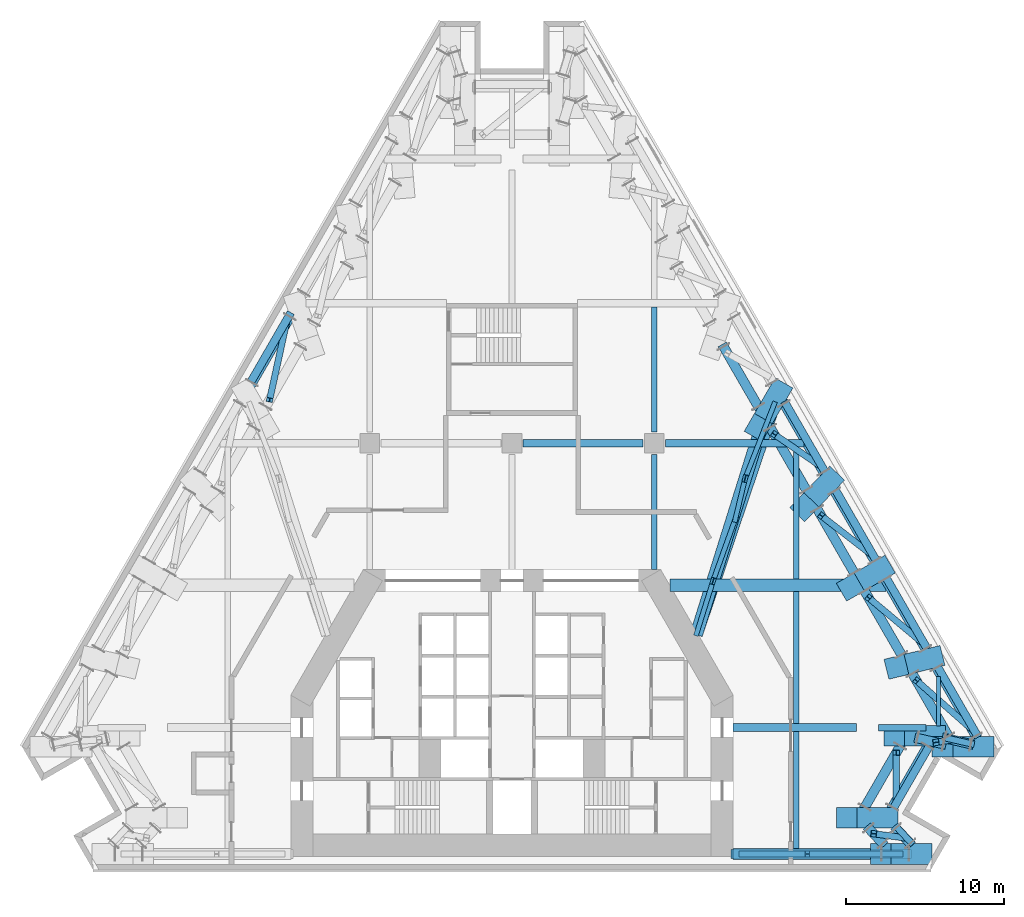
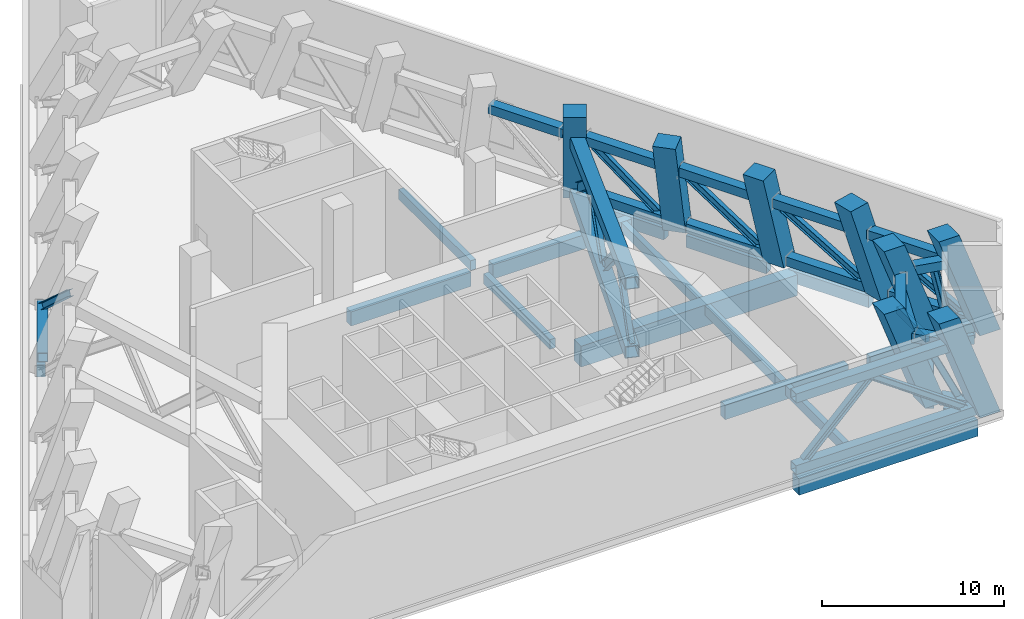
# One storey, part 2 of 12: 42 members, 20 beams.
"""IFC4 building model written with IfcOpenShell, lengths in metres."""

from ifc_helpers import new_model, si_unit, direction, frame, origin, origin_2d, place, context, subcontext, project, spatial, rectangle, hollow_rectangle, i_section, extrude, material, material_profile, profile_set, type_object, element, save


model = new_model("IFC4")

# Units and contexts
model_context = context("Model", 3, precision=1e-05, world=origin(), true_north=direction((0.0, 1.0)))
body_context = subcontext(model_context, "Body", "Model", "MODEL_VIEW")
ifc_project = project(units=[si_unit("LENGTHUNIT", "METRE"), si_unit("AREAUNIT", "SQUARE_METRE"), si_unit("VOLUMEUNIT", "CUBIC_METRE"), si_unit("PLANEANGLEUNIT", "RADIAN"), si_unit("MASSUNIT", "GRAM", prefix="KILO")], contexts=[model_context])

# Site, building, storey
site_placement = place(None, origin())
site = spatial("IfcSite", under=ifc_project, at=site_placement, CompositionType="ELEMENT")
building_placement = place(site_placement, origin())
building = spatial("IfcBuilding", under=site, at=building_placement, Name="Fogline Exchange Tower", CompositionType="ELEMENT")
storey_placement = place(building_placement, frame((0.0, 0.0, 88.89990234375)))
storey = spatial("IfcBuildingStorey", under=building, at=storey_placement, Name="L19", CompositionType="ELEMENT", Elevation=88.89990234375)

# Beams
ifc_material_1 = material(Name="Concrete C40", Category="concrete")
ifc_material_profile_1 = material_profile(ifc_material_1, rectangle(XDim=0.25, YDim=0.5, at=origin_2d()), Name="RC 250x500")
ifc_profile_set_1 = profile_set([ifc_material_profile_1], Name="Concrete C40")
beam_type_1 = type_object("IfcBeamType", Name="B08", PredefinedType="BEAM", material=ifc_profile_set_1)
beam_1_placement = place(storey_placement, frame((27.0, 9.09521484375, -0.5498046875), z_axis=(0.0, 1.0, 0.0), x_axis=(-1.0, 0.0, 0.0)))
element("IfcBeam", 1, at=beam_1_placement, inside=storey, type_object=beam_type_1, Name="SB017", PredefinedType="BEAM", context=body_context, shape_type="SweptSolid", body=[
    extrude(rectangle(XDim=0.25, YDim=0.5, at=origin_2d()), origin(), (0.0, 0.0, 1.0), 3.145263671875),
])
ifc_material_profile_2 = material_profile(ifc_material_1, rectangle(XDim=0.5, YDim=0.800048828125, at=origin_2d()), Name="RC 500x800")
ifc_profile_set_2 = profile_set([ifc_material_profile_2], Name="Concrete C40")
beam_type_2 = type_object("IfcBeamType", Name="B10", PredefinedType="BEAM", material=ifc_profile_set_2)
beam_2_placement = place(storey_placement, frame((24.142578125, 3.89892578125, -0.699951171875), z_axis=(0.500014024385, 0.866017306651, 0.0), x_axis=(-0.866017306651, 0.500014024385, 0.0)))
element("IfcBeam", 2, at=beam_2_placement, inside=storey, type_object=beam_type_2, Name="RB007", PredefinedType="BEAM", context=body_context, shape_type="SweptSolid", body=[
    extrude(rectangle(XDim=0.5, YDim=0.800048828125, at=origin_2d()), origin(), (0.0, 0.0, 1.0), 4.614501953125),
])
beam_3_placement = place(storey_placement, frame((29.50927734375, 8.394287109375, -0.699951171875), z_axis=(-0.500012659481, 0.866018094706, 0.0), x_axis=(-0.866018094706, -0.500012659481, 0.0)))
element("IfcBeam", 3, at=beam_3_placement, inside=storey, type_object=beam_type_2, Name="RB009", PredefinedType="BEAM", context=body_context, shape_type="SweptSolid", body=[
    extrude(rectangle(XDim=0.5, YDim=0.800048828125, at=origin_2d()), origin(), (0.0, 0.0, 1.0), 5.097412109375),
])
for number, where, z_axis, x_axis, name in (
    (4, (26.267578125, 14.0087890625, -0.699951171875), (-0.499956000529, 0.8660508054, 0.0), (-0.8660508054, -0.499956000529, 0.0), "RB010"),
    (5, (23.026123046875, 19.62353515625, -0.699951171875), (-0.499991921166, 0.866030068051, 0.0), (-0.866030068051, -0.499991921166, 0.0), "RB011"),
):
    element("IfcBeam", number, at=place(storey_placement, frame(where, z_axis=z_axis, x_axis=x_axis)), inside=storey, type_object=beam_type_2, Name=name, PredefinedType="BEAM", context=body_context, shape_type="SweptSolid", body=[
        extrude(rectangle(XDim=0.5, YDim=0.800048828125, at=origin_2d()), origin(), (0.0, 0.0, 1.0), 5.09765625),
    ])
beam_4_placement = place(storey_placement, frame((19.784423828125, 25.23828125, -0.699951171875), z_axis=(-0.500012659481, 0.866018094706, 0.0), x_axis=(-0.866018094706, -0.500012659481, 0.0)))
element("IfcBeam", 6, at=beam_4_placement, inside=storey, type_object=beam_type_2, Name="RB012", PredefinedType="BEAM", context=body_context, shape_type="SweptSolid", body=[
    extrude(rectangle(XDim=0.5, YDim=0.800048828125, at=origin_2d()), origin(), (0.0, 0.0, 1.0), 5.097412109375),
])
beam_5_placement = place(storey_placement, frame((-13.993896484375, 35.267578125, -0.699951171875), z_axis=(-0.499991921166, -0.866030068051, 0.0), x_axis=(0.866030068051, -0.499991921166, 0.0)))
element("IfcBeam", 7, at=beam_5_placement, inside=storey, type_object=beam_type_2, Name="RB023", PredefinedType="BEAM", context=body_context, shape_type="SweptSolid", body=[
    extrude(rectangle(XDim=0.5, YDim=0.800048828125, at=origin_2d()), origin(), (0.0, 0.0, 1.0), 5.09765625),
])
ifc_material_profile_3 = material_profile(ifc_material_1, rectangle(XDim=0.39990234375, YDim=0.60009765625, at=origin_2d()), Name="RC 400x600")
ifc_profile_set_3 = profile_set([ifc_material_profile_3], Name="Concrete C40")
beam_type_3 = type_object("IfcBeamType", Name="B11", PredefinedType="BEAM", material=ifc_profile_set_3)
beam_6_placement = place(storey_placement, frame((25.37548828125, 1.60009765625, -0.599853515625), z_axis=(-0.680844217962, 0.732428256464, 0.0), x_axis=(-0.732428256464, -0.680844217962, 0.0)))
element("IfcBeam", 8, at=beam_6_placement, inside=storey, type_object=beam_type_3, Name="RB006", PredefinedType="BEAM", context=body_context, shape_type="SweptSolid", body=[
    extrude(rectangle(XDim=0.39990234375, YDim=0.60009765625, at=origin_2d()), origin(), (0.0, 0.0, 1.0), 1.500244140625),
])
beam_7_placement = place(storey_placement, frame((27.396240234375, 8.357666015625, -0.599853515625), z_axis=(0.974741606569, -0.223335622829, 0.0), x_axis=(0.223335622829, 0.974741606569, 0.0)))
element("IfcBeam", 9, at=beam_7_placement, inside=storey, type_object=beam_type_3, Name="RB008", PredefinedType="BEAM", context=body_context, shape_type="SweptSolid", body=[
    extrude(rectangle(XDim=0.39990234375, YDim=0.60009765625, at=origin_2d()), origin(), (0.0, 0.0, 1.0), 1.907470703125),
])
ifc_material_profile_4 = material_profile(ifc_material_1, rectangle(XDim=0.699951171875, YDim=1.10009765625, at=origin_2d()), Name="RC 700x1100")
ifc_profile_set_4 = profile_set([ifc_material_profile_4], Name="Concrete C40")
beam_type_4 = type_object("IfcBeamType", Name="B12", PredefinedType="BEAM", material=ifc_profile_set_4)
beam_8_placement = place(storey_placement, frame((14.0, 1.0, -0.849853515625), z_axis=(1.0, 0.0, 0.0), x_axis=(0.0, 1.0, 0.0)))
element("IfcBeam", 10, at=beam_8_placement, inside=storey, type_object=beam_type_4, Name="RB005", PredefinedType="BEAM", context=body_context, shape_type="SweptSolid", body=[
    extrude(rectangle(XDim=0.699951171875, YDim=1.10009765625, at=origin_2d()), origin(), (0.0, 0.0, 1.0), 11.3330078125),
])
ifc_material_profile_5 = material_profile(ifc_material_1, rectangle(XDim=0.39990234375, YDim=0.64990234375, at=origin_2d()), Name="RC 400x650")
ifc_profile_set_5 = profile_set([ifc_material_profile_5], Name="Concrete C40")
beam_type_5 = type_object("IfcBeamType", Name="B13", PredefinedType="BEAM", material=ifc_profile_set_5)
beam_9_placement = place(storey_placement, frame((23.199951171875, 9.0, -0.625), z_axis=(1.0, 0.0, 0.0), x_axis=(0.0, 1.0, 0.0)))
element("IfcBeam", 11, at=beam_9_placement, inside=storey, type_object=beam_type_5, Name="GB004", PredefinedType="BEAM", context=body_context, shape_type="SweptSolid", body=[
    extrude(rectangle(XDim=0.39990234375, YDim=0.64990234375, at=origin_2d()), origin(), (0.0, 0.0, 1.0), 2.996337890625),
])
ifc_material_profile_6 = material_profile(ifc_material_1, rectangle(XDim=0.5, YDim=0.949951171875, at=origin_2d()), Name="RC 500x950")
ifc_profile_set_6 = profile_set([ifc_material_profile_6], Name="Concrete C40")
beam_type_6 = type_object("IfcBeamType", Name="B14", PredefinedType="BEAM", material=ifc_profile_set_6)
beam_10_placement = place(storey_placement, frame((14.0, 9.0, -0.77490234375), z_axis=(1.0, 0.0, 0.0), x_axis=(0.0, 1.0, 0.0)))
element("IfcBeam", 12, at=beam_10_placement, inside=storey, type_object=beam_type_6, Name="GB003", PredefinedType="BEAM", context=body_context, shape_type="SweptSolid", body=[
    extrude(rectangle(XDim=0.5, YDim=0.949951171875, at=origin_2d()), origin(), (0.0, 0.0, 1.0), 7.800048828125),
])
beam_11_placement = place(storey_placement, frame((0.699951171875, 27.0, -0.77490234375), z_axis=(1.0, 0.0, 0.0), x_axis=(0.0, 1.0, 0.0)))
element("IfcBeam", 13, at=beam_11_placement, inside=storey, type_object=beam_type_6, Name="GB009", PredefinedType="BEAM", context=body_context, shape_type="SweptSolid", body=[
    extrude(rectangle(XDim=0.5, YDim=0.949951171875, at=origin_2d()), origin(), (0.0, 0.0, 1.0), 7.60009765625),
])
beam_12_placement = place(storey_placement, frame((9.699951171875, 27.0, -0.77490234375), z_axis=(1.0, 0.0, 0.0), x_axis=(0.0, 1.0, 0.0)))
element("IfcBeam", 14, at=beam_12_placement, inside=storey, type_object=beam_type_6, Name="GB010", PredefinedType="BEAM", context=body_context, shape_type="SweptSolid", body=[
    extrude(rectangle(XDim=0.5, YDim=0.949951171875, at=origin_2d()), origin(), (0.0, 0.0, 1.0), 8.778564453125),
])
ifc_material_profile_7 = material_profile(ifc_material_1, rectangle(XDim=0.800048828125, YDim=1.39990234375, at=origin_2d()), Name="RC 800x1400")
ifc_profile_set_7 = profile_set([ifc_material_profile_7], Name="Concrete C40")
beam_type_7 = type_object("IfcBeamType", Name="B15", PredefinedType="BEAM", material=ifc_profile_set_7)
beam_13_placement = place(storey_placement, frame((9.989013671875, 18.0, -1.0), z_axis=(1.0, 0.0, 0.0), x_axis=(0.0, 1.0, 0.0)))
element("IfcBeam", 15, at=beam_13_placement, inside=storey, type_object=beam_type_7, Name="GB006", PredefinedType="BEAM", context=body_context, shape_type="SweptSolid", body=[
    extrude(rectangle(XDim=0.800048828125, YDim=1.39990234375, at=origin_2d()), origin(), (0.0, 0.0, 1.0), 13.685791015625),
])
ifc_material_profile_8 = material_profile(ifc_material_1, rectangle(XDim=0.35009765625, YDim=0.64990234375, at=origin_2d()), Name="RC 350x650")
ifc_profile_set_8 = profile_set([ifc_material_profile_8], Name="Concrete C40")
beam_type_8 = type_object("IfcBeamType", Name="B16", PredefinedType="BEAM", material=ifc_profile_set_8)
beam_14_placement = place(storey_placement, frame((9.0, 19.0, -0.625), z_axis=(0.0, 1.0, 0.0), x_axis=(-1.0, 0.0, 0.0)))
element("IfcBeam", 16, at=beam_14_placement, inside=storey, type_object=beam_type_8, Name="SB011", PredefinedType="BEAM", context=body_context, shape_type="SweptSolid", body=[
    extrude(rectangle(XDim=0.35009765625, YDim=0.64990234375, at=origin_2d()), origin(), (0.0, 0.0, 1.0), 7.300048828125),
])
beam_15_placement = place(storey_placement, frame((9.0, 27.699951171875, -0.625), z_axis=(0.0, 1.0, 0.0), x_axis=(-1.0, 0.0, 0.0)))
element("IfcBeam", 17, at=beam_15_placement, inside=storey, type_object=beam_type_8, Name="SB012", PredefinedType="BEAM", context=body_context, shape_type="SweptSolid", body=[
    extrude(rectangle(XDim=0.35009765625, YDim=0.64990234375, at=origin_2d()), origin(), (0.0, 0.0, 1.0), 7.906982421875),
])
beam_16_placement = place(storey_placement, frame((18.0, 1.35009765625, -0.625), z_axis=(0.0, 1.0, 0.0), x_axis=(-1.0, 0.0, 0.0)))
element("IfcBeam", 18, at=beam_16_placement, inside=storey, type_object=beam_type_8, Name="SB014", PredefinedType="BEAM", context=body_context, shape_type="SweptSolid", body=[
    extrude(rectangle(XDim=0.35009765625, YDim=0.64990234375, at=origin_2d()), origin(), (0.0, 0.0, 1.0), 7.39990234375),
])
for number, where, z_axis, x_axis, name in (
    (19, (18.0, 9.25, -0.625), (0.0, 1.0, 0.0), (-1.0, 0.0, 0.0), "SB015"),
    (20, (18.0, 18.39990234375, -0.625), (0.0, 1.0, 0.0), (-1.0, 0.0, 0.0), "SB016"),
):
    element("IfcBeam", number, at=place(storey_placement, frame(where, z_axis=z_axis, x_axis=x_axis)), inside=storey, type_object=beam_type_8, Name=name, PredefinedType="BEAM", context=body_context, shape_type="SweptSolid", body=[
        extrude(rectangle(XDim=0.35009765625, YDim=0.64990234375, at=origin_2d()), origin(), (0.0, 0.0, 1.0), 8.35009765625),
    ])

# Members
ifc_material_2 = material(Name="Steel Q355B", Category="steel")
ifc_material_profile_9 = material_profile(ifc_material_2, hollow_rectangle(XDim=0.60009765625, YDim=0.60009765625, WallThickness=0.030029296875, at=origin_2d()), Name="BOX600X600X30")
ifc_profile_set_9 = profile_set([ifc_material_profile_9], Name="Steel Q355B")
member_type_1 = type_object("IfcMemberType", Name="M01", PredefinedType="CHORD", material=ifc_profile_set_9)
member_1_placement = place(storey_placement, frame((13.85009765625, 1.0, 0.300048828125), z_axis=(1.0, 0.0, 0.0), x_axis=(0.0, 1.0, 0.0)))
element("IfcMember", 21, at=member_1_placement, inside=storey, type_object=member_type_1, Name="Belt truss chord BT4-2-BC", PredefinedType="CHORD", context=body_context, shape_type="SweptSolid", body=[
    extrude(hollow_rectangle(XDim=0.60009765625, YDim=0.60009765625, WallThickness=0.030029296875, at=origin_2d()), origin(), (0.0, 0.0, 1.0), 11.43310546875),
])
member_2_placement = place(storey_placement, frame((13.85009765625, 1.0, 5.10009765625), z_axis=(1.0, 0.0, 0.0), x_axis=(0.0, 1.0, 0.0)))
element("IfcMember", 22, at=member_2_placement, inside=storey, type_object=member_type_1, Name="Belt truss chord BT4-2-TC", PredefinedType="CHORD", context=body_context, shape_type="SweptSolid", body=[
    extrude(hollow_rectangle(XDim=0.60009765625, YDim=0.60009765625, WallThickness=0.030029296875, at=origin_2d()), origin(), (0.0, 0.0, 1.0), 9.6953125),
])
for number, where, z_axis, x_axis, name in (
    (23, (25.322509765625, 1.5400390625, 0.300048828125), (-0.680811200707, 0.732458946967, 0.0), (-0.732458946967, -0.680811200707, 0.0), "Belt truss chord BT5-1-BC"),
    (24, (23.584716796875, 1.5400390625, 5.10009765625), (-0.680811200707, 0.732458946967, 0.0), (-0.732458946967, -0.680811200707, 0.0), "Belt truss chord BT5-1-TC"),
):
    element("IfcMember", number, at=place(storey_placement, frame(where, z_axis=z_axis, x_axis=x_axis)), inside=storey, type_object=member_type_1, Name=name, PredefinedType="CHORD", context=body_context, shape_type="SweptSolid", body=[
        extrude(hollow_rectangle(XDim=0.60009765625, YDim=0.60009765625, WallThickness=0.030029296875, at=origin_2d()), origin(), (0.0, 0.0, 1.0), 1.663818359375),
    ])
for number, where, z_axis, x_axis, name in (
    (25, (23.988037109375, 3.819091796875, 0.300048828125), (0.499991085587, 0.866030550462, 0.0), (-0.866030550462, 0.499991085587, 0.0), "Belt truss chord BT6-1-BC"),
    (26, (22.250244140625, 3.819091796875, 5.10009765625), (0.499991085587, 0.866030550462, 0.0), (-0.866030550462, 0.499991085587, 0.0), "Belt truss chord BT6-1-TC"),
):
    element("IfcMember", number, at=place(storey_placement, frame(where, z_axis=z_axis, x_axis=x_axis)), inside=storey, type_object=member_type_1, Name=name, PredefinedType="CHORD", context=body_context, shape_type="SweptSolid", body=[
        extrude(hollow_rectangle(XDim=0.60009765625, YDim=0.60009765625, WallThickness=0.030029296875, at=origin_2d()), origin(), (0.0, 0.0, 1.0), 4.798828125),
    ])
for number, where, z_axis, x_axis, name in (
    (27, (27.23291015625, 8.370361328125, 0.300048828125), (0.974738348728, -0.223349841097, 0.0), (0.223349841097, 0.974738348728, 0.0), "Belt truss chord BT7-1-BC"),
    (28, (25.4951171875, 8.370361328125, 5.10009765625), (0.974738348728, -0.223349841097, 0.0), (0.223349841097, 0.974738348728, 0.0), "Belt truss chord BT7-1-TC"),
):
    element("IfcMember", number, at=place(storey_placement, frame(where, z_axis=z_axis, x_axis=x_axis)), inside=storey, type_object=member_type_1, Name=name, PredefinedType="CHORD", context=body_context, shape_type="SweptSolid", body=[
        extrude(hollow_rectangle(XDim=0.60009765625, YDim=0.60009765625, WallThickness=0.030029296875, at=origin_2d()), origin(), (0.0, 0.0, 1.0), 2.02001953125),
    ])
member_3_placement = place(storey_placement, frame((29.44677734375, 8.314208984375, 0.300048828125), z_axis=(-0.499992114976, 0.866029956157, 0.0), x_axis=(-0.866029956157, -0.499992114976, 0.0)))
element("IfcMember", 29, at=member_3_placement, inside=storey, type_object=member_type_1, Name="Belt truss chord BT8-1-BC", PredefinedType="CHORD", context=body_context, shape_type="SweptSolid", body=[
    extrude(hollow_rectangle(XDim=0.60009765625, YDim=0.60009765625, WallThickness=0.030029296875, at=origin_2d()), origin(), (0.0, 0.0, 1.0), 5.3291015625),
])
member_4_placement = place(storey_placement, frame((27.708984375, 8.314208984375, 5.10009765625), z_axis=(-0.500001669485, 0.866024439905, 0.0), x_axis=(-0.866024439905, -0.500001669485, 0.0)))
element("IfcMember", 30, at=member_4_placement, inside=storey, type_object=member_type_1, Name="Belt truss chord BT8-1-TC", PredefinedType="CHORD", context=body_context, shape_type="SweptSolid", body=[
    extrude(hollow_rectangle(XDim=0.60009765625, YDim=0.60009765625, WallThickness=0.030029296875, at=origin_2d()), origin(), (0.0, 0.0, 1.0), 4.89453125),
])
member_5_placement = place(storey_placement, frame((26.255859375, 13.84130859375, 0.300048828125), z_axis=(-0.500007885066, 0.866020851292, 0.0), x_axis=(-0.866020851292, -0.500007885066, 0.0)))
element("IfcMember", 31, at=member_5_placement, inside=storey, type_object=member_type_1, Name="Belt truss chord BT9-1-BC", PredefinedType="CHORD", context=body_context, shape_type="SweptSolid", body=[
    extrude(hollow_rectangle(XDim=0.60009765625, YDim=0.60009765625, WallThickness=0.030029296875, at=origin_2d()), origin(), (0.0, 0.0, 1.0), 5.4296875),
])
member_6_placement = place(storey_placement, frame((24.735107421875, 13.465087890625, 5.10009765625), z_axis=(-0.499997455298, 0.866026872964, 0.0), x_axis=(-0.866026872964, -0.499997455298, 0.0)))
element("IfcMember", 32, at=member_6_placement, inside=storey, type_object=member_type_1, Name="Belt truss chord BT9-1-TC", PredefinedType="CHORD", context=body_context, shape_type="SweptSolid", body=[
    extrude(hollow_rectangle(XDim=0.60009765625, YDim=0.60009765625, WallThickness=0.030029296875, at=origin_2d()), origin(), (0.0, 0.0, 1.0), 4.9951171875),
])
member_7_placement = place(storey_placement, frame((23.041015625, 19.40966796875, 0.300048828125), z_axis=(-0.500007885066, 0.866020851292, 0.0), x_axis=(-0.866020851292, -0.500007885066, 0.0)))
element("IfcMember", 33, at=member_7_placement, inside=storey, type_object=member_type_1, Name="Belt truss chord BT10-1-BC", PredefinedType="CHORD", context=body_context, shape_type="SweptSolid", body=[
    extrude(hollow_rectangle(XDim=0.60009765625, YDim=0.60009765625, WallThickness=0.030029296875, at=origin_2d()), origin(), (0.0, 0.0, 1.0), 5.4296875),
])
member_8_placement = place(storey_placement, frame((21.737548828125, 18.656982421875, 5.10009765625), z_axis=(-0.499997455298, 0.866026872964, 0.0), x_axis=(-0.866026872964, -0.499997455298, 0.0)))
element("IfcMember", 34, at=member_8_placement, inside=storey, type_object=member_type_1, Name="Belt truss chord BT10-1-TC", PredefinedType="CHORD", context=body_context, shape_type="SweptSolid", body=[
    extrude(hollow_rectangle(XDim=0.60009765625, YDim=0.60009765625, WallThickness=0.030029296875, at=origin_2d()), origin(), (0.0, 0.0, 1.0), 4.9951171875),
])
member_9_placement = place(storey_placement, frame((19.7998046875, 25.023681640625, 0.300048828125), z_axis=(-0.499992114976, 0.866029956157, 0.0), x_axis=(-0.866029956157, -0.499992114976, 0.0)))
element("IfcMember", 35, at=member_9_placement, inside=storey, type_object=member_type_1, Name="Belt truss chord BT11-1-BC", PredefinedType="CHORD", context=body_context, shape_type="SweptSolid", body=[
    extrude(hollow_rectangle(XDim=0.60009765625, YDim=0.60009765625, WallThickness=0.030029296875, at=origin_2d()), origin(), (0.0, 0.0, 1.0), 5.3291015625),
])
member_10_placement = place(storey_placement, frame((18.71337890625, 23.89501953125, 5.10009765625), z_axis=(-0.499964257829, 0.866046038553, 0.0), x_axis=(-0.866046038553, -0.499964257829, 0.0)))
element("IfcMember", 36, at=member_10_placement, inside=storey, type_object=member_type_1, Name="Belt truss chord BT11-1-TC", PredefinedType="CHORD", context=body_context, shape_type="SweptSolid", body=[
    extrude(hollow_rectangle(XDim=0.60009765625, YDim=0.60009765625, WallThickness=0.030029296875, at=origin_2d()), origin(), (0.0, 0.0, 1.0), 4.894287109375),
])
member_11_placement = place(storey_placement, frame((15.665771484375, 29.174072265625, 5.10009765625), z_axis=(-0.500034966214, 0.86600521509, 0.0), x_axis=(-0.86600521509, -0.500034966214, 0.0)))
element("IfcMember", 37, at=member_11_placement, inside=storey, type_object=member_type_1, Name="Belt truss chord BT12-1-TC", PredefinedType="CHORD", context=body_context, shape_type="SweptSolid", body=[
    extrude(hollow_rectangle(XDim=0.60009765625, YDim=0.60009765625, WallThickness=0.030029296875, at=origin_2d()), origin(), (0.0, 0.0, 1.0), 4.711181640625),
])
member_12_placement = place(storey_placement, frame((-13.9619140625, 35.13525390625, 0.300048828125), z_axis=(-0.499986674824, -0.866033096941, 0.0), x_axis=(0.866033096941, -0.499986674824, 0.0)))
element("IfcMember", 38, at=member_12_placement, inside=storey, type_object=member_type_1, Name="Belt truss chord BT22-1-BC", PredefinedType="CHORD", context=body_context, shape_type="SweptSolid", body=[
    extrude(hollow_rectangle(XDim=0.60009765625, YDim=0.60009765625, WallThickness=0.030029296875, at=origin_2d()), origin(), (0.0, 0.0, 1.0), 5.145751953125),
])
ifc_material_profile_10 = material_profile(ifc_material_2, i_section(OverallWidth=0.39990234375, OverallDepth=0.39990234375, WebThickness=0.012939453125, FlangeThickness=0.02099609375, FilletRadius=0.02197265625, at=origin_2d()), Name="HW400X400X13X21")
ifc_profile_set_10 = profile_set([ifc_material_profile_10], Name="Steel Q355B")
member_type_2 = type_object("IfcMemberType", Name="M02", PredefinedType="BRACE", material=ifc_profile_set_10)
member_13_placement = place(storey_placement, frame((14.5, 1.0, 0.60009765625), z_axis=(0.706921741986, 0.0, 0.707291771978), x_axis=(0.0, 1.0, 0.0)))
element("IfcMember", 39, at=member_13_placement, inside=storey, type_object=member_type_2, Name="Belt truss diagonal BT4-2-D1", PredefinedType="BRACE", context=body_context, shape_type="SweptSolid", body=[
    extrude(i_section(OverallWidth=0.39990234375, OverallDepth=0.39990234375, WebThickness=0.012939453125, FlangeThickness=0.02099609375, FilletRadius=0.02197265625, at=origin_2d()), origin(), (0.0, 0.0, 1.0), 5.93798828125),
])
member_14_placement = place(storey_placement, frame((18.69775390625, 1.0, 4.800048828125), z_axis=(0.816309451324, 0.0, -0.577614819477), x_axis=(0.0, 1.0, 0.0)))
element("IfcMember", 40, at=member_14_placement, inside=storey, type_object=member_type_2, Name="Belt truss diagonal BT4-2-D2", PredefinedType="BRACE", context=body_context, shape_type="SweptSolid", body=[
    extrude(i_section(OverallWidth=0.39990234375, OverallDepth=0.39990234375, WebThickness=0.012939453125, FlangeThickness=0.02099609375, FilletRadius=0.02197265625, at=origin_2d()), origin(), (0.0, 0.0, 1.0), 7.271240234375),
])
member_15_placement = place(storey_placement, frame((24.8798828125, 2.01611328125, 0.60009765625), z_axis=(-0.426706456017, 0.057292936182, 0.902573609107), x_axis=(-0.133073640587, -0.991106152832, 0.0)))
element("IfcMember", 41, at=member_15_placement, inside=storey, type_object=member_type_2, Name="Belt truss diagonal BT5-1-D1", PredefinedType="BRACE", context=body_context, shape_type="SweptSolid", body=[
    extrude(i_section(OverallWidth=0.39990234375, OverallDepth=0.39990234375, WebThickness=0.012939453125, FlangeThickness=0.02099609375, FilletRadius=0.02197265625, at=origin_2d()), origin(), (0.0, 0.0, 1.0), 4.6533203125),
])
member_16_placement = place(storey_placement, frame((24.31298828125, 4.382080078125, 0.60009765625), z_axis=(0.002262795922, 0.585074170599, 0.810976630152), x_axis=(-0.999992521163, 0.003867507938, 0.0)))
element("IfcMember", 42, at=member_16_placement, inside=storey, type_object=member_type_2, Name="Belt truss diagonal BT6-1-D1", PredefinedType="BRACE", context=body_context, shape_type="SweptSolid", body=[
    extrude(i_section(OverallWidth=0.39990234375, OverallDepth=0.39990234375, WebThickness=0.012939453125, FlangeThickness=0.02099609375, FilletRadius=0.02197265625, at=origin_2d()), origin(), (0.0, 0.0, 1.0), 5.178955078125),
])
member_17_placement = place(storey_placement, frame((27.866455078125, 8.22509765625, 0.60009765625), z_axis=(-0.23930138086, -0.037167006832, 0.970233715515), x_axis=(0.153474561113, -0.988152599091, 0.0)))
element("IfcMember", 43, at=member_17_placement, inside=storey, type_object=member_type_2, Name="Belt truss diagonal BT7-1-D1", PredefinedType="BRACE", context=body_context, shape_type="SweptSolid", body=[
    extrude(i_section(OverallWidth=0.39990234375, OverallDepth=0.39990234375, WebThickness=0.012939453125, FlangeThickness=0.02099609375, FilletRadius=0.02197265625, at=origin_2d()), origin(), (0.0, 0.0, 1.0), 4.328857421875),
])
member_18_placement = place(storey_placement, frame((29.121826171875, 8.877197265625, 0.60009765625), z_axis=(-0.560163494874, 0.493276569278, 0.665503632757), x_axis=(-0.660879060818, -0.750492416332, 0.0)))
element("IfcMember", 44, at=member_18_placement, inside=storey, type_object=member_type_2, Name="Belt truss diagonal BT8-1-D1", PredefinedType="BRACE", context=body_context, shape_type="SweptSolid", body=[
    extrude(i_section(OverallWidth=0.39990234375, OverallDepth=0.39990234375, WebThickness=0.012939453125, FlangeThickness=0.02099609375, FilletRadius=0.02197265625, at=origin_2d()), origin(), (0.0, 0.0, 1.0), 6.31103515625),
])
member_19_placement = place(storey_placement, frame((25.930908203125, 14.404296875, 0.60009765625), z_axis=(-0.554068337442, 0.464474479296, 0.690848561934), x_axis=(-0.64242711767, -0.76634678735, 0.0)))
element("IfcMember", 45, at=member_19_placement, inside=storey, type_object=member_type_2, Name="Belt truss diagonal BT9-1-D1", PredefinedType="BRACE", context=body_context, shape_type="SweptSolid", body=[
    extrude(i_section(OverallWidth=0.39990234375, OverallDepth=0.39990234375, WebThickness=0.012939453125, FlangeThickness=0.02099609375, FilletRadius=0.02197265625, at=origin_2d()), origin(), (0.0, 0.0, 1.0), 6.079345703125),
])
member_20_placement = place(storey_placement, frame((22.716064453125, 19.972412109375, 0.60009765625), z_axis=(-0.54390917651, 0.422534743816, 0.725001515845), x_axis=(-0.613483003389, -0.789707923572, 0.0)))
element("IfcMember", 46, at=member_20_placement, inside=storey, type_object=member_type_2, Name="Belt truss diagonal BT10-1-D1", PredefinedType="BRACE", context=body_context, shape_type="SweptSolid", body=[
    extrude(i_section(OverallWidth=0.39990234375, OverallDepth=0.39990234375, WebThickness=0.012939453125, FlangeThickness=0.02099609375, FilletRadius=0.02197265625, at=origin_2d()), origin(), (0.0, 0.0, 1.0), 5.79296875),
])
member_21_placement = place(storey_placement, frame((19.474609375, 25.586669921875, 0.60009765625), z_axis=(-0.527385917148, 0.362918319108, 0.768215066274), x_axis=(-0.566889934548, -0.823793543376, 0.0)))
element("IfcMember", 47, at=member_21_placement, inside=storey, type_object=member_type_2, Name="Belt truss diagonal BT11-1-D1", PredefinedType="BRACE", context=body_context, shape_type="SweptSolid", body=[
    extrude(i_section(OverallWidth=0.39990234375, OverallDepth=0.39990234375, WebThickness=0.012939453125, FlangeThickness=0.02099609375, FilletRadius=0.02197265625, at=origin_2d()), origin(), (0.0, 0.0, 1.0), 5.467041015625),
])
member_22_placement = place(storey_placement, frame((-14.286865234375, 34.572509765625, 0.60009765625), z_axis=(-0.162369328894, -0.744973198379, 0.647032560797), x_axis=(0.977062249818, -0.212953891678, 0.0)))
element("IfcMember", 48, at=member_22_placement, inside=storey, type_object=member_type_2, Name="Belt truss diagonal BT22-1-D1", PredefinedType="BRACE", context=body_context, shape_type="SweptSolid", body=[
    extrude(i_section(OverallWidth=0.39990234375, OverallDepth=0.39990234375, WebThickness=0.012939453125, FlangeThickness=0.02099609375, FilletRadius=0.02197265625, at=origin_2d()), origin(), (0.0, 0.0, 1.0), 6.4912109375),
])
ifc_material_profile_11 = material_profile(ifc_material_2, hollow_rectangle(XDim=0.800048828125, YDim=0.800048828125, WallThickness=0.0400390625, at=origin_2d()), Name="BOX800X800X40")
ifc_profile_set_11 = profile_set([ifc_material_profile_11], Name="Steel Q355B")
member_type_3 = type_object("IfcMemberType", Name="M03", PredefinedType="CHORD", material=ifc_profile_set_11)
member_23_placement = place(storey_placement, frame((11.65771484375, 14.88427734375, 0.400146484375), z_axis=(0.320589450714, 0.947218245227, 0.0), x_axis=(-0.947218245227, 0.320589450714, 0.0)))
element("IfcMember", 49, at=member_23_placement, inside=storey, type_object=member_type_3, Name="Outrigger chord OR-E-1-BC", PredefinedType="CHORD", context=body_context, shape_type="SweptSolid", body=[
    extrude(hollow_rectangle(XDim=0.800048828125, YDim=0.800048828125, WallThickness=0.0400390625, at=origin_2d()), origin(), (0.0, 0.0, 1.0), 15.53759765625),
])
member_24_placement = place(storey_placement, frame((11.660888671875, 14.883056640625, 5.0), z_axis=(0.298903759595, 0.954283261144, 0.0), x_axis=(-0.954283261144, 0.298903759595, 0.0)))
element("IfcMember", 50, at=member_24_placement, inside=storey, type_object=member_type_3, Name="Outrigger chord OR-E-1-TC", PredefinedType="CHORD", context=body_context, shape_type="SweptSolid", body=[
    extrude(hollow_rectangle(XDim=0.800048828125, YDim=0.800048828125, WallThickness=0.0400390625, at=origin_2d()), origin(), (0.0, 0.0, 1.0), 13.905029296875),
])
ifc_material_profile_12 = material_profile(ifc_material_2, i_section(OverallWidth=0.300048828125, OverallDepth=0.587890625, WebThickness=0.011962890625, FlangeThickness=0.02001953125, FilletRadius=0.028076171875, at=origin_2d()), Name="HM588X300X12X20")
ifc_profile_set_12 = profile_set([ifc_material_profile_12], Name="Steel Q355B")
member_type_4 = type_object("IfcMemberType", Name="M04", PredefinedType="BRACE", material=ifc_profile_set_12)
member_25_placement = place(storey_placement, frame((11.705810546875, 15.0263671875, 0.800048828125), z_axis=(0.199342052364, 0.636420087447, 0.745139059809), x_axis=(-0.954283069769, 0.298904370582, 0.0)))
element("IfcMember", 51, at=member_25_placement, inside=storey, type_object=member_type_4, Name="Outrigger brace OR-E-1-D1", PredefinedType="BRACE", context=body_context, shape_type="SweptSolid", body=[
    extrude(i_section(OverallWidth=0.300048828125, OverallDepth=0.587890625, WebThickness=0.011962890625, FlangeThickness=0.02001953125, FilletRadius=0.028076171875, at=origin_2d()), origin(), (0.0, 0.0, 1.0), 5.099853515625),
])
member_26_placement = place(storey_placement, frame((12.722412109375, 18.27197265625, 4.60009765625), z_axis=(0.251098605119, 0.69933541306, -0.669237977515), x_axis=(-0.94117107769, 0.337930469948, 0.0)))
element("IfcMember", 52, at=member_26_placement, inside=storey, type_object=member_type_4, Name="Outrigger brace OR-E-1-D2", PredefinedType="BRACE", context=body_context, shape_type="SweptSolid", body=[
    extrude(i_section(OverallWidth=0.300048828125, OverallDepth=0.587890625, WebThickness=0.011962890625, FlangeThickness=0.02001953125, FilletRadius=0.028076171875, at=origin_2d()), origin(), (0.0, 0.0, 1.0), 5.67822265625),
])
member_27_placement = place(storey_placement, frame((14.148193359375, 22.242919921875, 0.800048828125), z_axis=(0.132041082507, 0.547906806993, 0.826052833287), x_axis=(-0.972168056509, 0.234284591689, 0.0)))
element("IfcMember", 53, at=member_27_placement, inside=storey, type_object=member_type_4, Name="Outrigger brace OR-E-1-D3", PredefinedType="BRACE", context=body_context, shape_type="SweptSolid", body=[
    extrude(i_section(OverallWidth=0.300048828125, OverallDepth=0.587890625, WebThickness=0.011962890625, FlangeThickness=0.02001953125, FilletRadius=0.028076171875, at=origin_2d()), origin(), (0.0, 0.0, 1.0), 4.600341796875),
])
member_28_placement = place(storey_placement, frame((14.755615234375, 24.763427734375, 4.60009765625), z_axis=(0.290667850633, 0.743818913766, -0.601868444207), x_axis=(-0.931409136583, 0.363973928036, 0.0)))
element("IfcMember", 54, at=member_28_placement, inside=storey, type_object=member_type_4, Name="Outrigger brace OR-E-1-D4", PredefinedType="BRACE", context=body_context, shape_type="SweptSolid", body=[
    extrude(i_section(OverallWidth=0.300048828125, OverallDepth=0.587890625, WebThickness=0.011962890625, FlangeThickness=0.02001953125, FilletRadius=0.028076171875, at=origin_2d()), origin(), (0.0, 0.0, 1.0), 6.313720703125),
])
ifc_material_3 = material(Name="Concrete C70", Category="concrete")
ifc_material_profile_13 = material_profile(ifc_material_3, rectangle(XDim=1.300048828125, YDim=1.300048828125, at=origin_2d()), Name="RC 1300x1300")
ifc_profile_set_13 = profile_set([ifc_material_profile_13], Name="Concrete C70")
member_type_5 = type_object("IfcMemberType", Name="RP01", PredefinedType="POST", material=ifc_profile_set_13)
for number, where, z_axis, x_axis, name in (
    (55, (25.93310546875, 1.0, 0.0), (0.0, 0.0, 1.0), (0.0, -1.0, 0.0), "SE-a"),
    (56, (23.79638671875, 3.299072265625, 0.0), (0.0, 0.0, 1.0), (0.0, -1.0, 0.0), "SE-p4"),
    (57, (26.79638671875, 8.4951171875, 0.0), (0.0, 0.0, 1.0), (0.0, -1.0, 0.0), "SE-p3"),
    (58, (29.855712890625, 7.794189453125, 0.0), (0.0, 0.0, 1.0), (0.0, -1.0, 0.0), "SE-b"),
):
    element("IfcMember", number, at=place(storey_placement, frame(where, z_axis=z_axis, x_axis=x_axis)), inside=storey, type_object=member_type_5, Name=name, PredefinedType="POST", context=body_context, shape_type="SweptSolid", body=[
        extrude(rectangle(XDim=1.300048828125, YDim=1.300048828125, at=origin_2d()), origin(), (0.0, -0.340409008229, 0.940277462836), 7.657470703125),
    ])
member_29_placement = place(storey_placement, frame((26.614013671875, 13.408935546875, 0.0), z_axis=(0.0, 0.0, 1.0), x_axis=(0.240236730301, -0.970714331518, 0.0)))
element("IfcMember", 59, at=member_29_placement, inside=storey, type_object=member_type_5, Name="E1", PredefinedType="POST", context=body_context, shape_type="SweptSolid", body=[
    extrude(rectangle(XDim=1.300048828125, YDim=1.300048828125, at=origin_2d()), origin(), (0.0, -0.310221170982, 0.950664412437), 7.573974609375),
])
member_30_placement = place(storey_placement, frame((23.37255859375, 19.023681640625, 0.0), z_axis=(0.0, 0.0, 1.0), x_axis=(0.500046963369, -0.865998287773, 0.0)))
element("IfcMember", 60, at=member_30_placement, inside=storey, type_object=member_type_5, Name="E2", PredefinedType="POST", context=body_context, shape_type="SweptSolid", body=[
    extrude(rectangle(XDim=1.300048828125, YDim=1.300048828125, at=origin_2d()), origin(), (0.0, -0.299185114944, 0.954195088541), 7.5458984375),
])
member_31_placement = place(storey_placement, frame((20.130859375, 24.63818359375, 0.0), z_axis=(0.0, 0.0, 1.0), x_axis=(0.720587431144, -0.693364084791, 0.0)))
element("IfcMember", 61, at=member_31_placement, inside=storey, type_object=member_type_5, Name="E3", PredefinedType="POST", context=body_context, shape_type="SweptSolid", body=[
    extrude(rectangle(XDim=1.300048828125, YDim=1.300048828125, at=origin_2d()), origin(), (0.0, -0.310228505561, 0.950662018983), 7.573974609375),
])
member_32_placement = place(storey_placement, frame((16.88916015625, 30.2529296875, 0.0), z_axis=(0.0, 0.0, 1.0), x_axis=(0.866015587269, -0.500017002318, 0.0)))
element("IfcMember", 62, at=member_32_placement, inside=storey, type_object=member_type_5, Name="E4", PredefinedType="POST", context=body_context, shape_type="SweptSolid", body=[
    extrude(rectangle(XDim=1.300048828125, YDim=1.300048828125, at=origin_2d()), origin(), (0.0, -0.340426961269, 0.940270963096), 7.657470703125),
])

save(model, "model.ifc")
